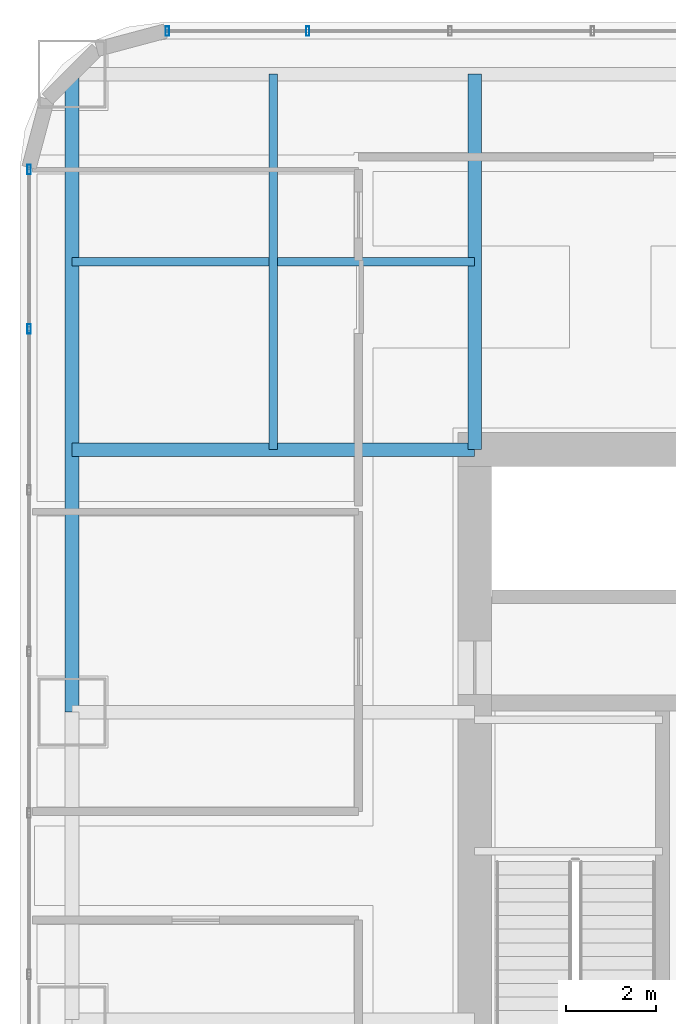
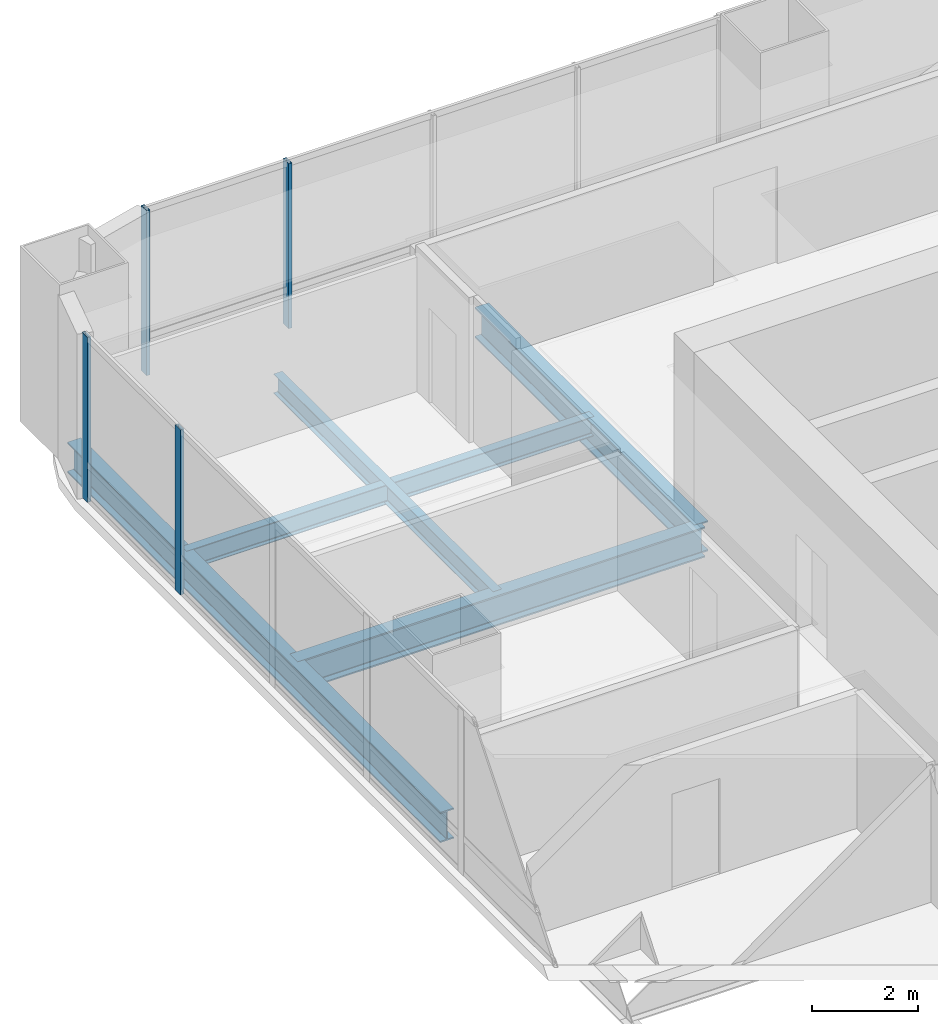
# One storey, part 17 of 40: 5 beams, 4 members, 2 elements without a shape of their own.
"""IFC4 building model written with IfcOpenShell, lengths in metres."""

from ifc_helpers import new_model, si_unit, direction, frame, origin, origin_2d, place, context, subcontext, project, spatial, hollow_rectangle, i_section, extrude, material, material_profile, profile_set, type_object, element, aggregate, save


model = new_model("IFC4")

# Units and contexts
model_context = context("Model", 3, precision=1e-05, world=origin(), true_north=direction((0.0, 1.0)))
body_context = subcontext(model_context, "Body", "Model", "MODEL_VIEW")
ifc_project = project(units=[si_unit("LENGTHUNIT", "METRE"), si_unit("AREAUNIT", "SQUARE_METRE"), si_unit("VOLUMEUNIT", "CUBIC_METRE"), si_unit("PLANEANGLEUNIT", "RADIAN"), si_unit("MASSUNIT", "GRAM", prefix="KILO")], contexts=[model_context])

# Site, building, storey
site_placement = place(None, origin())
site = spatial("IfcSite", under=ifc_project, at=site_placement, CompositionType="ELEMENT")
building_placement = place(site_placement, origin())
building = spatial("IfcBuilding", under=site, at=building_placement, Name="Punatoya Terracotta Tower", CompositionType="ELEMENT")
storey_placement = place(building_placement, frame((0.0, 0.0, 76.800048828125)))
storey = spatial("IfcBuildingStorey", under=building, at=storey_placement, Name="L17", CompositionType="ELEMENT", Elevation=76.800048828125)

# Beams
ifc_material_1 = material(Name="Steel S355", Category="steel")
ifc_material_profile_1 = material_profile(ifc_material_1, i_section(OverallWidth=0.300048828125, OverallDepth=0.699951171875, WebThickness=0.01708984375, FlangeThickness=0.031982421875, FilletRadius=0.01806640625, at=origin_2d()))
ifc_profile_set_1 = profile_set([ifc_material_profile_1], Name="Steel S355")
beam_type_1 = type_object("IfcBeamType", Name="BM-PRI-700", PredefinedType="BEAM", material=ifc_profile_set_1)
beam_1_placement = place(storey_placement, frame((-19.10009765625, 3.39990234375, -0.590087890625), z_axis=(0.0, 1.0, 0.0), x_axis=(-1.0, 0.0, 0.0)))
element("IfcBeam", 1, at=beam_1_placement, inside=storey, type_object=beam_type_1, Name="BM-L17-RG-W3", PredefinedType="BEAM", context=body_context, shape_type="SweptSolid", body=[
    extrude(i_section(OverallWidth=0.300048828125, OverallDepth=0.699951171875, WebThickness=0.01708984375, FlangeThickness=0.031982421875, FilletRadius=0.01806640625, at=origin_2d()), origin(), (0.0, 0.0, 1.0), 14.10009765625),
])
beam_2_placement = place(storey_placement, frame((-19.10009765625, 9.199951171875, -0.590087890625), z_axis=(1.0, 0.0, 0.0), x_axis=(0.0, 1.0, 0.0)))
element("IfcBeam", 2, at=beam_2_placement, inside=storey, type_object=beam_type_1, Name="BM-L17-PR-WN", PredefinedType="BEAM", context=body_context, shape_type="SweptSolid", body=[
    extrude(i_section(OverallWidth=0.300048828125, OverallDepth=0.699951171875, WebThickness=0.01708984375, FlangeThickness=0.031982421875, FilletRadius=0.01806640625, at=origin_2d()), origin(), (0.0, 0.0, 1.0), 8.900146484375),
])
beam_3_placement = place(storey_placement, frame((-10.199951171875, 9.199951171875, -0.590087890625), z_axis=(0.0, 1.0, 0.0), x_axis=(-1.0, 0.0, 0.0)))
element("IfcBeam", 3, at=beam_3_placement, inside=storey, type_object=beam_type_1, Name="BM-L17-PR-N1", PredefinedType="BEAM", context=body_context, shape_type="SweptSolid", body=[
    extrude(i_section(OverallWidth=0.300048828125, OverallDepth=0.699951171875, WebThickness=0.01708984375, FlangeThickness=0.031982421875, FilletRadius=0.01806640625, at=origin_2d()), origin(), (0.0, 0.0, 1.0), 8.300048828125),
])
ifc_material_profile_2 = material_profile(ifc_material_1, i_section(OverallWidth=0.18994140625, OverallDepth=0.449951171875, WebThickness=0.009521484375, FlangeThickness=0.0146484375, FilletRadius=0.01806640625, at=origin_2d()))
ifc_profile_set_2 = profile_set([ifc_material_profile_2], Name="Steel S355")
beam_type_2 = type_object("IfcBeamType", Name="BM-SEC-450", PredefinedType="JOIST", material=ifc_profile_set_2)
beam_4_placement = place(storey_placement, frame((-19.10009765625, 13.35009765625, -0.465087890625), z_axis=(1.0, 0.0, 0.0), x_axis=(0.0, 1.0, 0.0)))
element("IfcBeam", 4, at=beam_4_placement, inside=storey, type_object=beam_type_2, Name="BM-L17-SJN-1", PredefinedType="JOIST", context=body_context, shape_type="SweptSolid", body=[
    extrude(i_section(OverallWidth=0.18994140625, OverallDepth=0.449951171875, WebThickness=0.009521484375, FlangeThickness=0.0146484375, FilletRadius=0.01806640625, at=origin_2d()), origin(), (0.0, 0.0, 1.0), 8.900146484375),
])
beam_5_placement = place(storey_placement, frame((-14.64990234375, 9.199951171875, -0.465087890625), z_axis=(0.0, 1.0, 0.0), x_axis=(-1.0, 0.0, 0.0)))
element("IfcBeam", 5, at=beam_5_placement, inside=storey, type_object=beam_type_2, Name="BM-L17-SJW-2", PredefinedType="JOIST", context=body_context, shape_type="SweptSolid", body=[
    extrude(i_section(OverallWidth=0.18994140625, OverallDepth=0.449951171875, WebThickness=0.009521484375, FlangeThickness=0.0146484375, FilletRadius=0.01806640625, at=origin_2d()), origin(), (0.0, 0.0, 1.0), 8.300048828125),
])

# Curtain wall, members
ifc_material_2 = material(Name="Aluminium 6063-T6 + Double Low-E Glass", Category="aluminium")
curtain_wall_type = type_object("IfcCurtainWallType", Name="CW-M1", PredefinedType="NOTDEFINED", material=ifc_material_2)
curtain_wall_1_placement = place(storey_placement, origin())
curtain_wall_1 = element("IfcCurtainWall", 6, at=curtain_wall_1_placement, inside=storey, type_object=curtain_wall_type, Name="L17 Curtain Wall CW-L17-N09-2", PredefinedType="NOTDEFINED")
ifc_material_3 = material(Name="Aluminium 6063-T6", Category="aluminium")
ifc_material_profile_3 = material_profile(ifc_material_3, hollow_rectangle(XDim=0.074951171875, YDim=0.2099609375, WallThickness=0.00439453125, at=origin_2d()))
ifc_profile_set_3 = profile_set([ifc_material_profile_3], Name="Aluminium 6063-T6")
member_type = type_object("IfcMemberType", Name="CW-MUL-M1", PredefinedType="MULLION", material=ifc_profile_set_3)
member_1_placement = place(storey_placement, frame((-13.89013671875, 18.449951171875, 0.0), z_axis=(0.0, 0.0, 1.0), x_axis=(1.0, 0.0, 0.0)))
member_1 = element("IfcMember", 7, at=member_1_placement, type_object=member_type, Name="CW-L17-N09-2 Mullion 03", PredefinedType="MULLION", context=body_context, shape_type="SweptSolid", body=[
    extrude(hollow_rectangle(XDim=0.074951171875, YDim=0.2099609375, WallThickness=0.00439453125, at=origin_2d()), origin(), (0.0, 0.0, 1.0), 3.81005859375),
])
member_2_placement = place(storey_placement, frame((-16.991943359375, 18.449951171875, 0.0), z_axis=(0.0, 0.0, 1.0), x_axis=(1.0, 0.0, 0.0)))
member_2 = element("IfcMember", 8, at=member_2_placement, type_object=member_type, Name="CW-L17-N09-2 Mullion 04", PredefinedType="MULLION", context=body_context, shape_type="SweptSolid", body=[
    extrude(hollow_rectangle(XDim=0.074951171875, YDim=0.2099609375, WallThickness=0.00439453125, at=origin_2d()), origin(), (0.0, 0.0, 1.0), 3.81005859375),
])
aggregate(curtain_wall_1, [member_1, member_2])

curtain_wall_2_placement = place(storey_placement, origin())
curtain_wall_2 = element("IfcCurtainWall", 9, at=curtain_wall_2_placement, inside=storey, type_object=curtain_wall_type, Name="L17 Curtain Wall CW-L17-W13-1", PredefinedType="NOTDEFINED")
member_3_placement = place(storey_placement, frame((-20.050048828125, 15.391845703125, 0.0), z_axis=(0.0, 0.0, 1.0), x_axis=(1.0, 0.0, 0.0)))
member_3 = element("IfcMember", 10, at=member_3_placement, type_object=member_type, Name="CW-L17-W13-1 Mullion 00", PredefinedType="MULLION", context=body_context, shape_type="SweptSolid", body=[
    extrude(hollow_rectangle(XDim=0.074951171875, YDim=0.2099609375, WallThickness=0.00439453125, at=origin_2d()), origin(), (0.0, 0.0, 1.0), 3.81005859375),
])
member_4_placement = place(storey_placement, frame((-20.050048828125, 11.869384765625, 0.0), z_axis=(0.0, 0.0, 1.0), x_axis=(1.0, 0.0, 0.0)))
member_4 = element("IfcMember", 11, at=member_4_placement, type_object=member_type, Name="CW-L17-W13-1 Mullion 01", PredefinedType="MULLION", context=body_context, shape_type="SweptSolid", body=[
    extrude(hollow_rectangle(XDim=0.074951171875, YDim=0.2099609375, WallThickness=0.00439453125, at=origin_2d()), origin(), (0.0, 0.0, 1.0), 3.81005859375),
])
aggregate(curtain_wall_2, [member_3, member_4])

save(model, "model.ifc")
